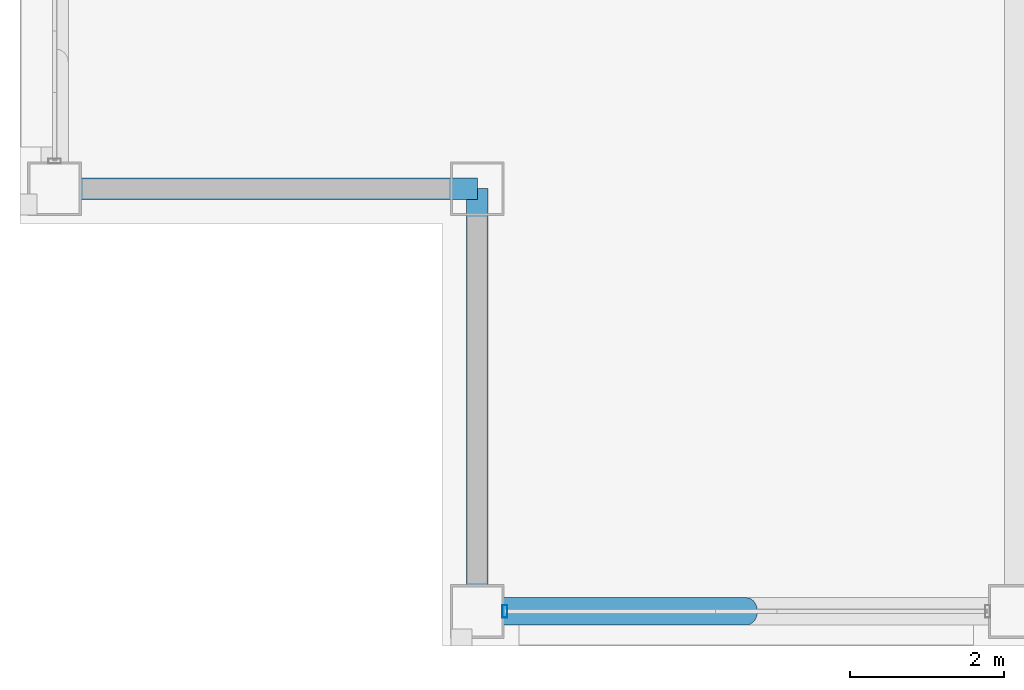
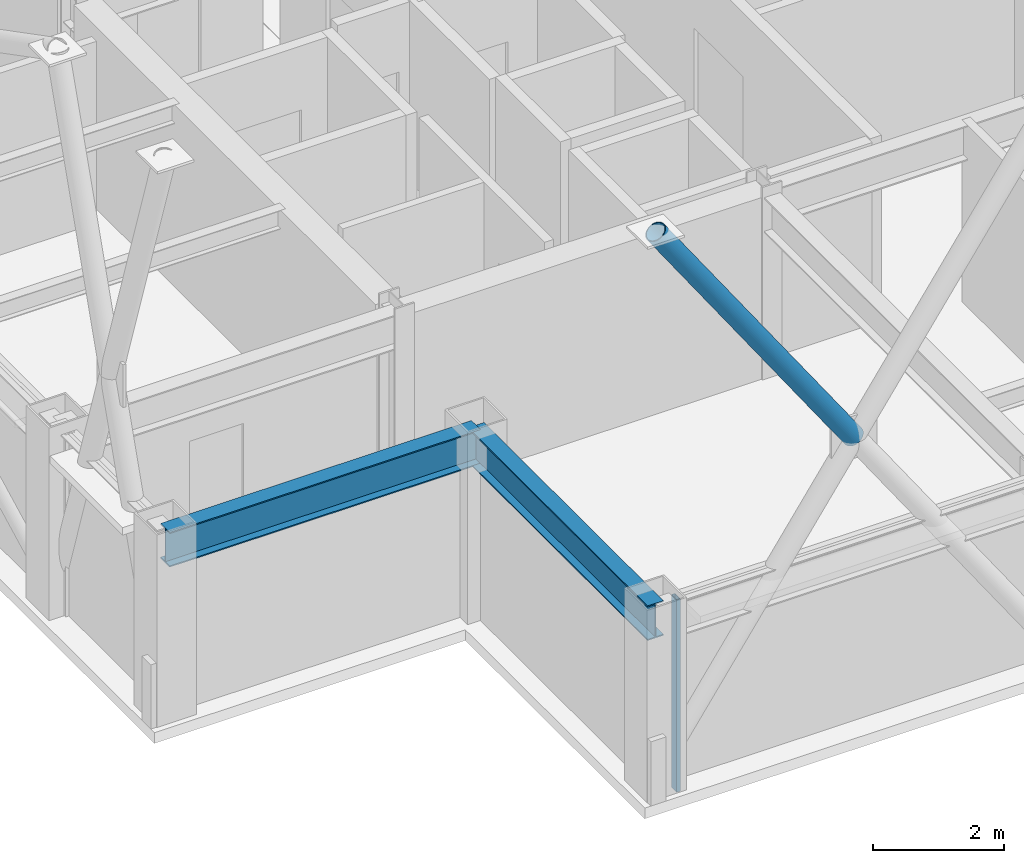
# One storey, part 2 of 33: 2 beams, 2 members, 1 element without a shape of its own.
"""IFC4 building model written with IfcOpenShell, lengths in metres."""

from ifc_helpers import new_model, si_unit, direction, frame, origin, origin_2d, place, context, subcontext, project, spatial, hollow_rectangle, hollow_circle, i_section, extrude, material, layer, layer_set, material_profile, profile_set, type_object, element, aggregate, save


model = new_model("IFC4")

# Units and contexts
model_context = context("Model", 3, precision=1e-05, world=origin(), true_north=direction((0.0, 1.0)))
body_context = subcontext(model_context, "Body", "Model", "MODEL_VIEW")
ifc_project = project(units=[si_unit("LENGTHUNIT", "METRE"), si_unit("AREAUNIT", "SQUARE_METRE"), si_unit("VOLUMEUNIT", "CUBIC_METRE"), si_unit("PLANEANGLEUNIT", "RADIAN"), si_unit("MASSUNIT", "GRAM", prefix="KILO")], contexts=[model_context])

# Site, building, storey
site_placement = place(None, origin())
site = spatial("IfcSite", under=ifc_project, at=site_placement, CompositionType="ELEMENT")
building_placement = place(site_placement, origin())
building = spatial("IfcBuilding", under=site, at=building_placement, Name="Brelmoor Portico Tower", CompositionType="ELEMENT")
storey_placement = place(building_placement, frame((0.0, 0.0, 194.699951171875)))
storey = spatial("IfcBuildingStorey", under=building, at=storey_placement, Name="L51", CompositionType="ELEMENT", Elevation=194.699951171875)

# Beams
ifc_material_1 = material(Name="Steel Q355B", Category="steel")
ifc_material_profile_1 = material_profile(ifc_material_1, i_section(OverallWidth=0.280029296875, OverallDepth=0.64990234375, WebThickness=0.012939453125, FlangeThickness=0.02197265625, at=origin_2d()), Name="HN 650x280x13x22")
ifc_profile_set_1 = profile_set([ifc_material_profile_1], Name="Steel Q355B")
beam_type = type_object("IfcBeamType", Name="BM-SP-650", PredefinedType="SPANDREL", material=ifc_profile_set_1)
for number, where, z_axis, x_axis, name in (
    (1, (-20.550048828125, -13.050048828125, 3.074951171875), (1.0, 0.0, 0.0), (0.0, 1.0, 0.0), "L51 Perimeter Spandrel Beam SP-04"),
    (2, (-15.050048828125, -18.550048828125, 3.074951171875), (0.0, 1.0, 0.0), (-1.0, 0.0, 0.0), "L51 Perimeter Spandrel Beam SP-14"),
):
    element("IfcBeam", number, at=place(storey_placement, frame(where, z_axis=z_axis, x_axis=x_axis)), inside=storey, type_object=beam_type, Name=name, PredefinedType="SPANDREL", context=body_context, shape_type="SweptSolid", body=[
        extrude(i_section(OverallWidth=0.280029296875, OverallDepth=0.64990234375, WebThickness=0.012939453125, FlangeThickness=0.02197265625, at=origin_2d()), origin(), (0.0, 0.0, 1.0), 5.5),
    ])

# Member
ifc_material_profile_2 = material_profile(ifc_material_1, hollow_circle(Radius=0.177978515625, WallThickness=0.01611328125, at=origin_2d()), Name="CHS 356x16")
ifc_profile_set_2 = profile_set([ifc_material_profile_2], Name="Steel Q355B")
member_type_1 = type_object("IfcMemberType", Name="MB-BELT-DIAG2", PredefinedType="BRACE", material=ifc_profile_set_2)
member_1_placement = place(storey_placement, frame((-11.550048828125, -18.550048828125, 5.300048828125), z_axis=(-0.569629338867, 0.0, 0.821901707203), x_axis=(0.0, -1.0, 0.0)))
element("IfcMember", 3, at=member_1_placement, inside=storey, type_object=member_type_1, Name="L51 Split Mega-X Brace 116B2", PredefinedType="BRACE", context=body_context, shape_type="SweptSolid", body=[
    extrude(hollow_circle(Radius=0.177978515625, WallThickness=0.01611328125, at=origin_2d()), origin(), (0.0, 0.0, 1.0), 6.144287109375),
])

# Curtain wall, member
ifc_material_2 = material(Name="Anodised Aluminium Alloy 6063-T6", Category="aluminium")
ifc_layer = layer(ifc_material_2, 0.179931640625)
ifc_layer_set = layer_set([ifc_layer], Name="Anodised Aluminium Alloy 6063-T6")
curtain_wall_type = type_object("IfcCurtainWallType", Name="CW-TOWER-Z3-XB", PredefinedType="NOTDEFINED", material=ifc_layer_set)
curtain_wall_placement = place(storey_placement, origin())
curtain_wall = element("IfcCurtainWall", 4, at=curtain_wall_placement, inside=storey, type_object=curtain_wall_type, Name="L51 Curtain Wall CW-L51-01-1", PredefinedType="NOTDEFINED")
ifc_material_profile_3 = material_profile(ifc_material_2, hollow_rectangle(XDim=0.06494140625, YDim=0.1650390625, WallThickness=0.00390625, at=origin_2d()), Name="ALU MULLION 65x165")
ifc_profile_set_3 = profile_set([ifc_material_profile_3], Name="Anodised Aluminium Alloy 6063-T6")
member_type_2 = type_object("IfcMemberType", Name="MB-CW-MULL-165", PredefinedType="MULLION", material=ifc_profile_set_3)
member_2_placement = place(storey_placement, frame((-14.68994140625, -18.550048828125, -0.199951171875), z_axis=(0.0, 0.0, 1.0), x_axis=(1.0, 0.0, 0.0)))
member_2 = element("IfcMember", 5, at=member_2_placement, type_object=member_type_2, Name="CW-L51-01-1 Mullion 00", PredefinedType="MULLION", context=body_context, shape_type="SweptSolid", body=[
    extrude(hollow_rectangle(XDim=0.06494140625, YDim=0.1650390625, WallThickness=0.00390625, at=origin_2d()), origin(), (0.0, 0.0, 1.0), 3.60009765625),
])
aggregate(curtain_wall, [member_2])

save(model, "model.ifc")
